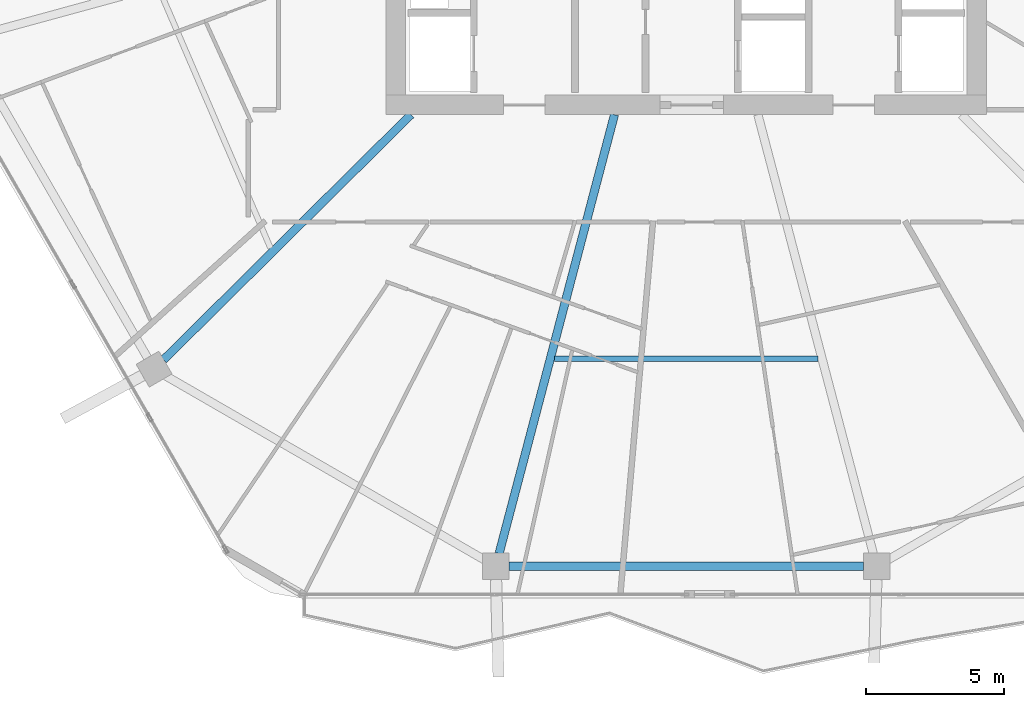
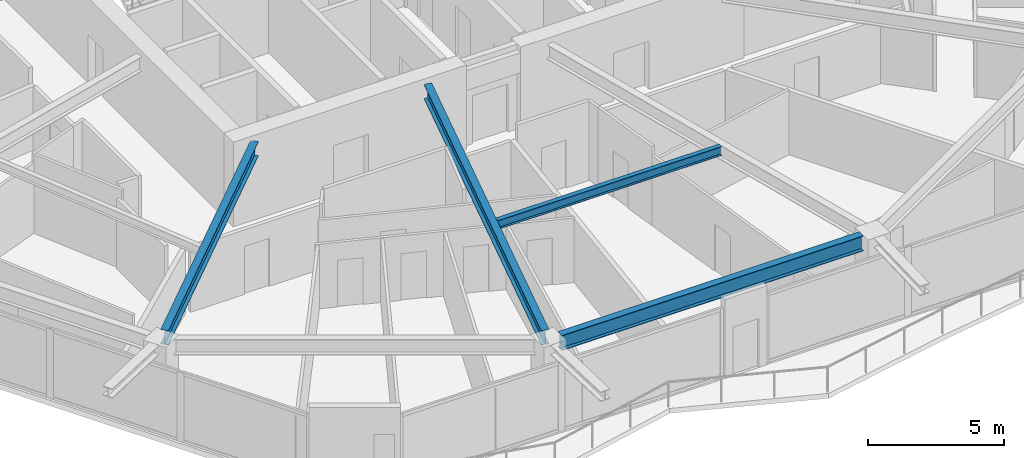
# One storey, part 4 of 25: 4 beams.
"""IFC4 building model written with IfcOpenShell, lengths in metres."""

from ifc_helpers import new_model, si_unit, direction, frame, origin, origin_2d, place, context, subcontext, project, spatial, i_section, extrude, material, material_profile, profile_set, type_object, element, save


model = new_model("IFC4")

# Units and contexts
model_context = context("Model", 3, precision=1e-05, world=origin(), true_north=direction((0.0, 1.0)))
body_context = subcontext(model_context, "Body", "Model", "MODEL_VIEW")
ifc_project = project(units=[si_unit("LENGTHUNIT", "METRE"), si_unit("AREAUNIT", "SQUARE_METRE"), si_unit("VOLUMEUNIT", "CUBIC_METRE"), si_unit("PLANEANGLEUNIT", "RADIAN"), si_unit("MASSUNIT", "GRAM", prefix="KILO")], contexts=[model_context])

# Site, building, storey
site_placement = place(None, origin())
site = spatial("IfcSite", under=ifc_project, at=site_placement, CompositionType="ELEMENT")
building_placement = place(site_placement, origin())
building = spatial("IfcBuilding", under=site, at=building_placement, Name="Zuhravey Tower", CompositionType="ELEMENT")
storey_placement = place(building_placement, frame((0.0, 0.0, 196.0)))
storey = spatial("IfcBuildingStorey", under=building, at=storey_placement, Name="L49", CompositionType="ELEMENT", Elevation=196.0)

# Beams
ifc_material = material(Name="Steel SM355", Category="steel")
ifc_material_profile_1 = material_profile(ifc_material, i_section(OverallWidth=0.300048828125, OverallDepth=0.679931640625, WebThickness=0.012939453125, FlangeThickness=0.02197265625, at=origin_2d()), Name="H-680x300x13x22")
ifc_profile_set_1 = profile_set([ifc_material_profile_1], Name="Steel SM355")
beam_type_1 = type_object("IfcBeamType", Name="Perimeter Ring Beam H680x300", PredefinedType="BEAM", material=ifc_profile_set_1)
beam_1_placement = place(storey_placement, frame((29.595947265625, 5.826904296875, 3.2099609375), z_axis=(1.0, 0.0, 0.0), x_axis=(0.0, 1.0, 0.0)))
element("IfcBeam", 1, at=beam_1_placement, inside=storey, type_object=beam_type_1, Name="L49 PB2 BM-L49-PB-09", PredefinedType="BEAM", context=body_context, shape_type="SweptSolid", body=[
    extrude(i_section(OverallWidth=0.300048828125, OverallDepth=0.679931640625, WebThickness=0.012939453125, FlangeThickness=0.02197265625, at=origin_2d()), origin(), (0.0, 0.0, 1.0), 12.80810546875),
])
ifc_material_profile_2 = material_profile(ifc_material, i_section(OverallWidth=0.300048828125, OverallDepth=0.64990234375, WebThickness=0.012939453125, FlangeThickness=0.02197265625, at=origin_2d()), Name="H-650x300x13x22")
ifc_profile_set_2 = profile_set([ifc_material_profile_2], Name="Steel SM355")
beam_type_2 = type_object("IfcBeamType", Name="Radial Primary Girder H650x300", PredefinedType="BEAM", material=ifc_profile_set_2)
beam_2_placement = place(storey_placement, frame((26.054443359375, 22.14697265625, 3.22509765625), z_axis=(-0.710406645816, -0.703791444663, 0.0), x_axis=(0.703791444663, -0.710406645816, 0.0)))
element("IfcBeam", 2, at=beam_2_placement, inside=storey, type_object=beam_type_2, Name="L49 RG2 BM-L49-RAD-08", PredefinedType="BEAM", context=body_context, shape_type="SweptSolid", body=[
    extrude(i_section(OverallWidth=0.300048828125, OverallDepth=0.64990234375, WebThickness=0.012939453125, FlangeThickness=0.02197265625, at=origin_2d()), origin(), (0.0, 0.0, 1.0), 12.5849609375),
])
beam_3_placement = place(storey_placement, frame((33.4091796875, 22.14697265625, 3.22509765625), z_axis=(-0.254299806285, -0.967125435775, 0.0), x_axis=(0.967125435775, -0.254299806285, 0.0)))
element("IfcBeam", 3, at=beam_3_placement, inside=storey, type_object=beam_type_2, Name="L49 RG2 BM-L49-RAD-09", PredefinedType="BEAM", context=body_context, shape_type="SweptSolid", body=[
    extrude(i_section(OverallWidth=0.300048828125, OverallDepth=0.64990234375, WebThickness=0.012939453125, FlangeThickness=0.02197265625, at=origin_2d()), origin(), (0.0, 0.0, 1.0), 16.396728515625),
])
ifc_material_profile_3 = material_profile(ifc_material, i_section(OverallWidth=0.199951171875, OverallDepth=0.39990234375, WebThickness=0.008056640625, FlangeThickness=0.012939453125, at=origin_2d()), Name="H-400x200x8x13")
ifc_profile_set_3 = profile_set([ifc_material_profile_3], Name="Steel SM355")
beam_type_3 = type_object("IfcBeamType", Name="Secondary Floor Joist H400x200", PredefinedType="JOIST", material=ifc_profile_set_3)
beam_4_placement = place(storey_placement, frame((31.245849609375, 13.334228515625, 3.35009765625), z_axis=(1.0, 0.0, 0.0), x_axis=(0.0, 1.0, 0.0)))
element("IfcBeam", 4, at=beam_4_placement, inside=storey, type_object=beam_type_3, Name="L49 SJ2 BM-L49-SJ-09-1", PredefinedType="JOIST", context=body_context, shape_type="SweptSolid", body=[
    extrude(i_section(OverallWidth=0.199951171875, OverallDepth=0.39990234375, WebThickness=0.008056640625, FlangeThickness=0.012939453125, at=origin_2d()), origin(), (0.0, 0.0, 1.0), 9.50830078125),
])

save(model, "model.ifc")
